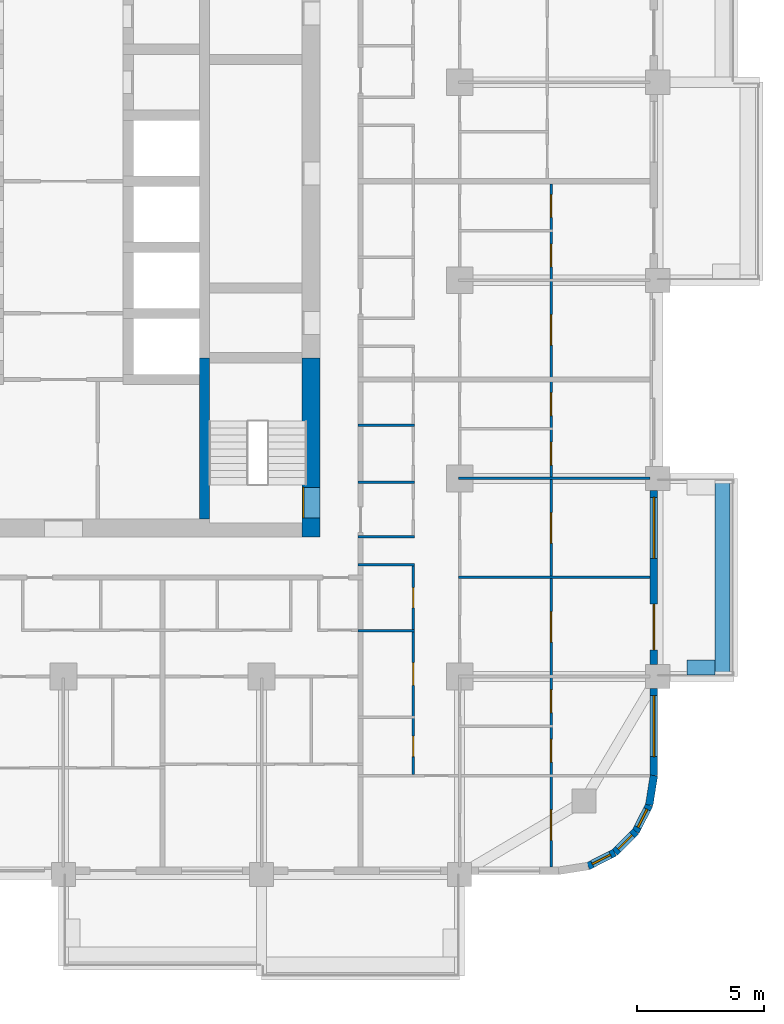
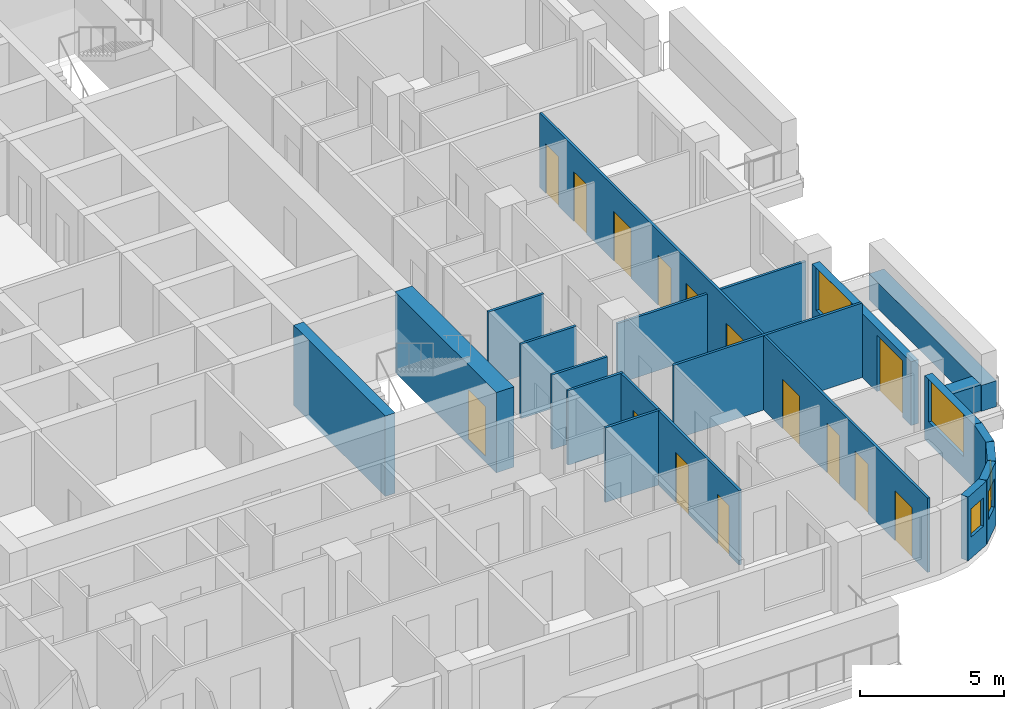
# One storey, part 8 of 18: 19 walls, 15 doors, 5 windows, 20 openings.
"""IFC4 building model written with IfcOpenShell, lengths in metres."""

from ifc_helpers import new_model, si_unit, direction, frame, frame_2d, origin, place, context, subcontext, project, spatial, rectangle, extrude, material, layer, layer_set, type_object, element, fill, save


model = new_model("IFC4")

# Units and contexts
model_context = context("Model", 3, precision=1e-05, world=origin(), true_north=direction((0.0, 1.0)))
body_context = subcontext(model_context, "Body", "Model", "MODEL_VIEW")
ifc_project = project(units=[si_unit("LENGTHUNIT", "METRE"), si_unit("AREAUNIT", "SQUARE_METRE"), si_unit("VOLUMEUNIT", "CUBIC_METRE"), si_unit("PLANEANGLEUNIT", "RADIAN"), si_unit("MASSUNIT", "GRAM", prefix="KILO")], contexts=[model_context])

# Site, building, storey
site_placement = place(None, origin())
site = spatial("IfcSite", under=ifc_project, at=site_placement, CompositionType="ELEMENT")
building_placement = place(site_placement, origin())
building = spatial("IfcBuilding", under=site, at=building_placement, Name="Ludao Terraces", CompositionType="ELEMENT")
storey_placement = place(building_placement, frame((0.0, 0.0, 78.39990234375)))
storey = spatial("IfcBuildingStorey", under=building, at=storey_placement, Name="L21", CompositionType="ELEMENT", Elevation=78.39990234375)

# Wall, opening, door
ifc_material_1 = material(Name="Concrete C70", Category="concrete")
ifc_layer_1 = layer(ifc_material_1, 0.699951171875)
ifc_layer_set_1 = layer_set([ifc_layer_1], Name="Core wall 700 C70")
wall_type_1 = type_object("IfcWallType", Name="Core wall 700 C70", PredefinedType="SOLIDWALL", material=ifc_layer_set_1)
wall_1_placement = place(storey_placement, frame((94.75, 54.89990234375, -0.25), z_axis=(0.0, 0.0, 1.0), x_axis=(0.0, 1.0, 0.0)))
wall_1 = element("IfcWall", 1, at=wall_1_placement, inside=storey, type_object=wall_type_1, Name="Core wall L21 outer-E-S3", PredefinedType="SOLIDWALL", context=body_context, shape_type="SweptSolid", body=[
    extrude(rectangle(XDim=7.050048828125, YDim=0.699951171875, at=frame_2d((3.52490234375, 0.0))), origin(), (0.0, 0.0, 1.0), 3.400146484375),
])
opening_1_placement = place(wall_1_placement, frame((0.75, 0.0, 0.25)))
opening_1 = element("IfcOpeningElement", 2, at=opening_1_placement, cuts=wall_1, Name="Opening R06-059", PredefinedType="OPENING", context=body_context, shape_type="SweptSolid", body=[
    extrude(rectangle(XDim=1.199951171875, YDim=2.10009765625, at=frame_2d((0.60009765625, 1.050048828125))), frame((0.0, 0.35986328125, 0.0), z_axis=(0.0, -1.0, 0.0), x_axis=(1.0, 0.0, 0.0)), (0.0, 0.0, 1.0), 0.719970703125),
])
ifc_material_2 = material(Name="Steel Q235", Category="steel")
door_type_1 = type_object("IfcDoorType", Name="INT Stair door 1200", OperationType="DOUBLE_DOOR_SINGLE_SWING", PredefinedType="DOOR", material=ifc_material_2)
door_1_placement = place(opening_1_placement, origin())
door_1 = element("IfcDoor", 3, at=door_1_placement, inside=storey, type_object=door_type_1, Name="DOOR 059", OperationType="DOUBLE_DOOR_SINGLE_SWING", OverallHeight=2.10009765625, OverallWidth=1.199951171875, PredefinedType="DOOR", context=body_context, shape_type="SweptSolid", body=[
    extrude(rectangle(XDim=1.199951171875, YDim=2.10009765625, at=frame_2d((0.60009765625, 1.050048828125))), frame((0.0, 0.3349609375, 0.0), z_axis=(0.0, -1.0, 0.0), x_axis=(1.0, 0.0, 0.0)), (0.0, 0.0, 1.0), 0.050048828125),
])
fill(opening_1, door_1)

# Walls
ifc_material_3 = material(Name="Concrete C40", Category="concrete")
ifc_layer_2 = layer(ifc_material_3, 0.60009765625)
ifc_layer_set_2 = layer_set([ifc_layer_2], Name="ENV Planter trough 600")
wall_type_2 = type_object("IfcWallType", Name="ENV Planter trough 600", PredefinedType="USERDEFINED", material=ifc_layer_set_2)
wall_2_placement = place(storey_placement, frame((110.949951171875, 49.39990234375, 0.0), z_axis=(0.0, 0.0, 1.0), x_axis=(0.0, 1.0, 0.0)))
element("IfcWall", 4, at=wall_2_placement, inside=storey, type_object=wall_type_2, Name="PL-L21-E1", ObjectType="PLANTER", PredefinedType="USERDEFINED", context=body_context, shape_type="SweptSolid", body=[
    extrude(rectangle(XDim=7.800048828125, YDim=0.60009765625, at=frame_2d((3.89990234375, 0.0))), origin(), (0.0, 0.0, 1.0), 1.10009765625),
])
wall_3_placement = place(storey_placement, frame((110.64990234375, 49.75, 0.0), z_axis=(0.0, 0.0, 1.0), x_axis=(-1.0, 0.0, 0.0)))
element("IfcWall", 5, at=wall_3_placement, inside=storey, type_object=wall_type_2, Name="PL-L21-E1-SA", ObjectType="PLANTER", PredefinedType="USERDEFINED", context=body_context, shape_type="SweptSolid", body=[
    extrude(rectangle(XDim=1.099853515625, YDim=0.60009765625, at=frame_2d((0.5498046875, 0.0))), origin(), (0.0, 0.0, 1.0), 1.10009765625),
])

# Wall, opening, window
ifc_material_4 = material(Name="Granite cladding", Category="masonry")
ifc_layer_3 = layer(ifc_material_4, 0.0400390625, Category="stone")
ifc_material_5 = material(Name="Mineral wool")
ifc_layer_4 = layer(ifc_material_5, 0.06005859375)
ifc_layer_5 = layer(ifc_material_3, 0.199951171875, Category="concrete")
ifc_layer_set_3 = layer_set([ifc_layer_3, ifc_layer_4, ifc_layer_5], Name="ENV Stone-clad wall 300")
wall_type_3 = type_object("IfcWallType", Name="ENV Stone-clad wall 300", PredefinedType="SOLIDWALL", material=ifc_layer_set_3)
wall_4_placement = place(storey_placement, frame((108.25, 45.5, 0.0), z_axis=(0.0, 0.0, 1.0), x_axis=(0.0, 1.0, 0.0)))
wall_4 = element("IfcWall", 6, at=wall_4_placement, inside=storey, type_object=wall_type_3, Name="EW-L21-E1", PredefinedType="SOLIDWALL", context=body_context, shape_type="SweptSolid", body=[
    extrude(rectangle(XDim=3.425048828125, YDim=0.300048828125, at=frame_2d((1.71240234375, 0.0))), origin(), (0.0, 0.0, 1.0), 2.7001953125),
])
opening_2_placement = place(wall_4_placement, frame((0.75, 0.0, 0.89990234375)))
opening_2 = element("IfcOpeningElement", 7, at=opening_2_placement, cuts=wall_4, Name="Opening W1", PredefinedType="OPENING", context=body_context, shape_type="SweptSolid", body=[
    extrude(rectangle(XDim=2.39990234375, YDim=1.800048828125, at=frame_2d((1.199951171875, 0.89990234375))), frame((0.0, 0.16015625, 0.0), z_axis=(0.0, -1.0, 0.0), x_axis=(1.0, 0.0, 0.0)), (0.0, 0.0, 1.0), 0.320068359375),
])
ifc_material_6 = material(Name="Clear glass in aluminium frame", Category="aluminium")
ifc_layer_6 = layer(ifc_material_6, 0.06005859375)
ifc_layer_set_4 = layer_set([ifc_layer_6], Name="ENV Window W1 2400x1800")
window_type_1 = type_object("IfcWindowType", Name="ENV Window W1 2400x1800", PartitioningType="DOUBLE_PANEL_VERTICAL", PredefinedType="WINDOW", material=ifc_layer_set_4)
window_1_placement = place(opening_2_placement, origin())
window_1 = element("IfcWindow", 8, at=window_1_placement, inside=storey, type_object=window_type_1, Name="W-L21-E1-1", OverallHeight=1.800048828125, OverallWidth=2.39990234375, PartitioningType="DOUBLE_PANEL_VERTICAL", PredefinedType="WINDOW", context=body_context, shape_type="SweptSolid", body=[
    extrude(rectangle(XDim=2.39990234375, YDim=1.800048828125, at=frame_2d((1.199951171875, 0.89990234375))), frame((0.0, 0.030029296875, 0.0), z_axis=(0.0, -1.0, 0.0), x_axis=(1.0, 0.0, 0.0)), (0.0, 0.0, 1.0), 0.06005859375),
])
fill(opening_2, window_1)

# Wall, openings, door, window
wall_5_placement = place(storey_placement, frame((108.25, 49.875, 0.0), z_axis=(0.0, 0.0, 1.0), x_axis=(0.0, 1.0, 0.0)))
wall_5 = element("IfcWall", 9, at=wall_5_placement, inside=storey, type_object=wall_type_3, Name="EW-L21-E2", PredefinedType="SOLIDWALL", context=body_context, shape_type="SweptSolid", body=[
    extrude(rectangle(XDim=6.85009765625, YDim=0.300048828125, at=frame_2d((3.425048828125, 0.0))), origin(), (0.0, 0.0, 1.0), 2.7001953125),
])
opening_3_placement = place(wall_5_placement, frame((0.574951171875, 0.0, 0.0)))
opening_3 = element("IfcOpeningElement", 10, at=opening_3_placement, cuts=wall_5, Name="Opening BD", PredefinedType="OPENING", context=body_context, shape_type="SweptSolid", body=[
    extrude(rectangle(XDim=1.800048828125, YDim=2.39990234375, at=frame_2d((0.89990234375, 1.199951171875))), frame((0.0, 0.16015625, 0.0), z_axis=(0.0, -1.0, 0.0), x_axis=(1.0, 0.0, 0.0)), (0.0, 0.0, 1.0), 0.320068359375),
])
opening_4_placement = place(wall_5_placement, frame((4.175048828125, 0.0, 0.89990234375)))
opening_4 = element("IfcOpeningElement", 11, at=opening_4_placement, cuts=wall_5, Name="Opening W1", PredefinedType="OPENING", context=body_context, shape_type="SweptSolid", body=[
    extrude(rectangle(XDim=2.39990234375, YDim=1.800048828125, at=frame_2d((1.199951171875, 0.89990234375))), frame((0.0, 0.16015625, 0.0), z_axis=(0.0, -1.0, 0.0), x_axis=(1.0, 0.0, 0.0)), (0.0, 0.0, 1.0), 0.320068359375),
])
ifc_material_7 = material(Name="Aluminium glazed door", Category="aluminium")
ifc_layer_7 = layer(ifc_material_7, 0.06005859375)
ifc_layer_set_5 = layer_set([ifc_layer_7], Name="ENV Balcony door BD 1800x2400")
door_type_2 = type_object("IfcDoorType", Name="ENV Balcony door BD 1800x2400", OperationType="DOUBLE_DOOR_SINGLE_SWING", PredefinedType="DOOR", material=ifc_layer_set_5)
door_2_placement = place(opening_3_placement, origin())
door_2 = element("IfcDoor", 12, at=door_2_placement, inside=storey, type_object=door_type_2, Name="BD-L21-E2-1", OperationType="DOUBLE_DOOR_SINGLE_SWING", OverallHeight=2.39990234375, OverallWidth=1.800048828125, PredefinedType="DOOR", context=body_context, shape_type="SweptSolid", body=[
    extrude(rectangle(XDim=1.800048828125, YDim=2.39990234375, at=frame_2d((0.89990234375, 1.199951171875))), frame((0.0, 0.02490234375, 0.0), z_axis=(0.0, -1.0, 0.0), x_axis=(1.0, 0.0, 0.0)), (0.0, 0.0, 1.0), 0.050048828125),
])
fill(opening_3, door_2)
window_2_placement = place(opening_4_placement, origin())
window_2 = element("IfcWindow", 13, at=window_2_placement, inside=storey, type_object=window_type_1, Name="W-L21-E2-2", OverallHeight=1.800048828125, OverallWidth=2.39990234375, PartitioningType="DOUBLE_PANEL_VERTICAL", PredefinedType="WINDOW", context=body_context, shape_type="SweptSolid", body=[
    extrude(rectangle(XDim=2.39990234375, YDim=1.800048828125, at=frame_2d((1.199951171875, 0.89990234375))), frame((0.0, 0.030029296875, 0.0), z_axis=(0.0, -1.0, 0.0), x_axis=(1.0, 0.0, 0.0)), (0.0, 0.0, 1.0), 0.06005859375),
])
fill(opening_4, window_2)

# Wall, opening, window
wall_6_placement = place(storey_placement, frame((105.65869140625, 41.93359375, 0.0), z_axis=(0.0, 0.0, 1.0), x_axis=(0.890988677504, 0.454025524128, 0.0)))
wall_6 = element("IfcWall", 14, at=wall_6_placement, inside=storey, type_object=wall_type_3, Name="EW-L21-SE2", PredefinedType="SOLIDWALL", context=body_context, shape_type="SweptSolid", body=[
    extrude(rectangle(XDim=1.17333984375, YDim=0.300048828125, at=frame_2d((0.586669921875, 0.0))), origin(), (0.0, 0.0, 1.0), 2.7001953125),
])
opening_5_placement = place(wall_6_placement, frame((0.1865234375, 0.0, 0.89990234375)))
opening_5 = element("IfcOpeningElement", 15, at=opening_5_placement, cuts=wall_6, Name="Opening W3", PredefinedType="OPENING", context=body_context, shape_type="SweptSolid", body=[
    extrude(rectangle(XDim=0.800048828125, YDim=1.199951171875, at=frame_2d((0.39990234375, 0.60009765625))), frame((0.0, 0.16015625, 0.0), z_axis=(0.0, -1.0, 0.0), x_axis=(1.0, 0.0, 0.0)), (0.0, 0.0, 1.0), 0.320068359375),
])
ifc_layer_8 = layer(ifc_material_6, 0.06005859375)
ifc_layer_set_6 = layer_set([ifc_layer_8], Name="ENV Window W3 800x1200")
window_type_2 = type_object("IfcWindowType", Name="ENV Window W3 800x1200", PartitioningType="SINGLE_PANEL", PredefinedType="WINDOW", material=ifc_layer_set_6)
window_3_placement = place(opening_5_placement, origin())
window_3 = element("IfcWindow", 16, at=window_3_placement, inside=storey, type_object=window_type_2, Name="W-L21-SE2", OverallHeight=1.199951171875, OverallWidth=0.800048828125, PartitioningType="SINGLE_PANEL", PredefinedType="WINDOW", context=body_context, shape_type="SweptSolid", body=[
    extrude(rectangle(XDim=0.800048828125, YDim=1.199951171875, at=frame_2d((0.39990234375, 0.60009765625))), frame((0.0, 0.030029296875, 0.0), z_axis=(0.0, -1.0, 0.0), x_axis=(1.0, 0.0, 0.0)), (0.0, 0.0, 1.0), 0.06005859375),
])
fill(opening_5, window_3)

wall_7_placement = place(storey_placement, frame((106.7041015625, 42.46630859375, 0.0), z_axis=(0.0, 0.0, 1.0), x_axis=(0.707106781187, 0.707106781187, 0.0)))
wall_7 = element("IfcWall", 17, at=wall_7_placement, inside=storey, type_object=wall_type_3, Name="EW-L21-SE3", PredefinedType="SOLIDWALL", context=body_context, shape_type="SweptSolid", body=[
    extrude(rectangle(XDim=1.173095703125, YDim=0.300048828125, at=frame_2d((0.58642578125, 0.0))), origin(), (0.0, 0.0, 1.0), 2.7001953125),
])
opening_6_placement = place(wall_7_placement, frame((0.1865234375, 0.0, 0.89990234375)))
opening_6 = element("IfcOpeningElement", 18, at=opening_6_placement, cuts=wall_7, Name="Opening W3", PredefinedType="OPENING", context=body_context, shape_type="SweptSolid", body=[
    extrude(rectangle(XDim=0.800048828125, YDim=1.199951171875, at=frame_2d((0.39990234375, 0.60009765625))), frame((0.0, 0.16015625, 0.0), z_axis=(0.0, -1.0, 0.0), x_axis=(1.0, 0.0, 0.0)), (0.0, 0.0, 1.0), 0.320068359375),
])
window_4_placement = place(opening_6_placement, origin())
window_4 = element("IfcWindow", 19, at=window_4_placement, inside=storey, type_object=window_type_2, Name="W-L21-SE3", OverallHeight=1.199951171875, OverallWidth=0.800048828125, PartitioningType="SINGLE_PANEL", PredefinedType="WINDOW", context=body_context, shape_type="SweptSolid", body=[
    extrude(rectangle(XDim=0.800048828125, YDim=1.199951171875, at=frame_2d((0.39990234375, 0.60009765625))), frame((0.0, 0.030029296875, 0.0), z_axis=(0.0, -1.0, 0.0), x_axis=(1.0, 0.0, 0.0)), (0.0, 0.0, 1.0), 0.06005859375),
])
fill(opening_6, window_4)

wall_8_placement = place(storey_placement, frame((107.53369140625, 43.2958984375, 0.0), z_axis=(0.0, 0.0, 1.0), x_axis=(0.454025524128, 0.890988677504, 0.0)))
wall_8 = element("IfcWall", 20, at=wall_8_placement, inside=storey, type_object=wall_type_3, Name="EW-L21-SE4", PredefinedType="SOLIDWALL", context=body_context, shape_type="SweptSolid", body=[
    extrude(rectangle(XDim=1.17333984375, YDim=0.300048828125, at=frame_2d((0.586669921875, 0.0))), origin(), (0.0, 0.0, 1.0), 2.7001953125),
])
opening_7_placement = place(wall_8_placement, frame((0.1865234375, 0.0, 0.89990234375)))
opening_7 = element("IfcOpeningElement", 21, at=opening_7_placement, cuts=wall_8, Name="Opening W3", PredefinedType="OPENING", context=body_context, shape_type="SweptSolid", body=[
    extrude(rectangle(XDim=0.800048828125, YDim=1.199951171875, at=frame_2d((0.39990234375, 0.60009765625))), frame((0.0, 0.16015625, 0.0), z_axis=(0.0, -1.0, 0.0), x_axis=(1.0, 0.0, 0.0)), (0.0, 0.0, 1.0), 0.320068359375),
])
window_5_placement = place(opening_7_placement, origin())
window_5 = element("IfcWindow", 22, at=window_5_placement, inside=storey, type_object=window_type_2, Name="W-L21-SE4", OverallHeight=1.199951171875, OverallWidth=0.800048828125, PartitioningType="SINGLE_PANEL", PredefinedType="WINDOW", context=body_context, shape_type="SweptSolid", body=[
    extrude(rectangle(XDim=0.800048828125, YDim=1.199951171875, at=frame_2d((0.39990234375, 0.60009765625))), frame((0.0, 0.030029296875, 0.0), z_axis=(0.0, -1.0, 0.0), x_axis=(1.0, 0.0, 0.0)), (0.0, 0.0, 1.0), 0.06005859375),
])
fill(opening_7, window_5)

# Walls
wall_9_placement = place(storey_placement, frame((108.06640625, 44.34130859375, 0.0), z_axis=(0.0, 0.0, 1.0), x_axis=(0.156496880861, 0.987678452879, 0.0)))
element("IfcWall", 23, at=wall_9_placement, inside=storey, type_object=wall_type_3, Name="EW-L21-SE5", PredefinedType="SOLIDWALL", context=body_context, shape_type="SweptSolid", body=[
    extrude(rectangle(XDim=1.173095703125, YDim=0.300048828125, at=frame_2d((0.58642578125, 0.0))), origin(), (0.0, 0.0, 1.0), 2.7001953125),
])
ifc_material_8 = material(Name="Gypsum plasterboard", Category="gypsum")
ifc_layer_9 = layer(ifc_material_8, 0.012451171875, Category="gypsum")
ifc_layer_10 = layer(ifc_material_5, 0.06005859375, Name="insulation")
ifc_layer_11 = layer(ifc_material_2, 0.014892578125, Name="stud")
ifc_layer_12 = layer(ifc_material_8, 0.012451171875, Category="gypsum")
ifc_layer_set_7 = layer_set([ifc_layer_9, ifc_layer_10, ifc_layer_11, ifc_layer_12], Name="INT Partition 100")
wall_type_4 = type_object("IfcWallType", Name="INT Partition 100", PredefinedType="PARTITIONING", material=ifc_layer_set_7)
wall_10_placement = place(storey_placement, frame((96.60009765625, 51.199951171875, 0.0), z_axis=(0.0, 0.0, 1.0), x_axis=(1.0, 0.0, 0.0)))
element("IfcWall", 24, at=wall_10_placement, inside=storey, type_object=wall_type_4, Name="PW-L21-PW012", PredefinedType="PARTITIONING", context=body_context, shape_type="SweptSolid", body=[
    extrude(rectangle(XDim=2.219970703125, YDim=0.10009765625, at=frame_2d((1.10986328125, 0.0))), origin(), (0.0, 0.0, 1.0), 3.150146484375),
])
wall_11_placement = place(storey_placement, frame((100.550048828125, 53.300048828125, 0.0), z_axis=(0.0, 0.0, 1.0), x_axis=(1.0, 0.0, 0.0)))
element("IfcWall", 25, at=wall_11_placement, inside=storey, type_object=wall_type_4, Name="PW-L21-PW021", PredefinedType="PARTITIONING", context=body_context, shape_type="SweptSolid", body=[
    extrude(rectangle(XDim=7.550048828125, YDim=0.10009765625, at=frame_2d((3.77490234375, 0.0))), origin(), (0.0, 0.0, 1.0), 3.150146484375),
])
for number, where, z_axis, x_axis, name in (
    (26, (96.60009765625, 53.800048828125, 0.0), (0.0, 0.0, 1.0), (1.0, 0.0, 0.0), "PW-L21-PW022"),
    (27, (96.60009765625, 54.89990234375, 0.0), (0.0, 0.0, 1.0), (1.0, 0.0, 0.0), "PW-L21-PW024"),
    (28, (96.60009765625, 57.050048828125, 0.0), (0.0, 0.0, 1.0), (1.0, 0.0, 0.0), "PW-L21-PW026"),
):
    element("IfcWall", number, at=place(storey_placement, frame(where, z_axis=z_axis, x_axis=x_axis)), inside=storey, type_object=wall_type_4, Name=name, PredefinedType="PARTITIONING", context=body_context, shape_type="SweptSolid", body=[
        extrude(rectangle(XDim=2.219970703125, YDim=0.10009765625, at=frame_2d((1.10986328125, 0.0))), origin(), (0.0, 0.0, 1.0), 3.150146484375),
    ])
wall_12_placement = place(storey_placement, frame((100.550048828125, 57.199951171875, 0.0), z_axis=(0.0, 0.0, 1.0), x_axis=(1.0, 0.0, 0.0)))
element("IfcWall", 29, at=wall_12_placement, inside=storey, type_object=wall_type_4, Name="PW-L21-PW028", PredefinedType="PARTITIONING", context=body_context, shape_type="SweptSolid", body=[
    extrude(rectangle(XDim=7.550048828125, YDim=0.10009765625, at=frame_2d((3.77490234375, 0.0))), origin(), (0.0, 0.0, 1.0), 2.550048828125),
])
wall_13_placement = place(storey_placement, frame((96.60009765625, 59.300048828125, 0.0), z_axis=(0.0, 0.0, 1.0), x_axis=(1.0, 0.0, 0.0)))
element("IfcWall", 30, at=wall_13_placement, inside=storey, type_object=wall_type_4, Name="PW-L21-PW032", PredefinedType="PARTITIONING", context=body_context, shape_type="SweptSolid", body=[
    extrude(rectangle(XDim=2.219970703125, YDim=0.10009765625, at=frame_2d((1.10986328125, 0.0))), origin(), (0.0, 0.0, 1.0), 3.150146484375),
])

# Wall, openings, doors
wall_14_placement = place(storey_placement, frame((98.77001953125, 45.550048828125, 0.0), z_axis=(0.0, 0.0, 1.0), x_axis=(0.0, 1.0, 0.0)))
wall_14 = element("IfcWall", 31, at=wall_14_placement, inside=storey, type_object=wall_type_4, Name="PW-L21-PW118", PredefinedType="PARTITIONING", context=body_context, shape_type="SweptSolid", body=[
    extrude(rectangle(XDim=8.199951171875, YDim=0.10009765625, at=frame_2d((4.10009765625, 0.0))), origin(), (0.0, 0.0, 1.0), 3.150146484375),
])
opening_8_placement = place(wall_14_placement, frame((0.699951171875, 0.0, 0.0)))
opening_8 = element("IfcOpeningElement", 32, at=opening_8_placement, cuts=wall_14, Name="Opening R06-018", PredefinedType="OPENING", context=body_context, shape_type="SweptSolid", body=[
    extrude(rectangle(XDim=0.800048828125, YDim=2.10009765625, at=frame_2d((0.39990234375, 1.050048828125))), frame((0.0, 0.06005859375, 0.0), z_axis=(0.0, -1.0, 0.0), x_axis=(1.0, 0.0, 0.0)), (0.0, 0.0, 1.0), 0.1201171875),
])
opening_9_placement = place(wall_14_placement, frame((3.5, 0.0, 0.0)))
opening_9 = element("IfcOpeningElement", 33, at=opening_9_placement, cuts=wall_14, Name="Opening R06-030", PredefinedType="OPENING", context=body_context, shape_type="SweptSolid", body=[
    extrude(rectangle(XDim=0.89990234375, YDim=2.10009765625, at=frame_2d((0.449951171875, 1.050048828125))), frame((0.0, 0.06005859375, 0.0), z_axis=(0.0, -1.0, 0.0), x_axis=(1.0, 0.0, 0.0)), (0.0, 0.0, 1.0), 0.1201171875),
])
opening_10_placement = place(wall_14_placement, frame((6.550048828125, 0.0, 0.0)))
opening_10 = element("IfcOpeningElement", 34, at=opening_10_placement, cuts=wall_14, Name="Opening R06-046", PredefinedType="OPENING", context=body_context, shape_type="SweptSolid", body=[
    extrude(rectangle(XDim=0.800048828125, YDim=2.10009765625, at=frame_2d((0.39990234375, 1.050048828125))), frame((0.0, 0.06005859375, 0.0), z_axis=(0.0, -1.0, 0.0), x_axis=(1.0, 0.0, 0.0)), (0.0, 0.0, 1.0), 0.1201171875),
])
ifc_material_9 = material(Name="Timber door leaf", Category="wood")
door_type_3 = type_object("IfcDoorType", Name="INT Room door 900", OperationType="SINGLE_SWING_LEFT", PredefinedType="DOOR", material=ifc_material_9)
door_3_placement = place(opening_9_placement, origin())
door_3 = element("IfcDoor", 35, at=door_3_placement, inside=storey, type_object=door_type_3, Name="DOOR 030", OperationType="SINGLE_SWING_LEFT", OverallHeight=2.10009765625, OverallWidth=0.89990234375, PredefinedType="DOOR", context=body_context, shape_type="SweptSolid", body=[
    extrude(rectangle(XDim=0.89990234375, YDim=2.10009765625, at=frame_2d((0.449951171875, 1.050048828125))), frame((0.0, 0.02490234375, 0.0), z_axis=(0.0, -1.0, 0.0), x_axis=(1.0, 0.0, 0.0)), (0.0, 0.0, 1.0), 0.050048828125),
])
fill(opening_9, door_3)
door_type_4 = type_object("IfcDoorType", Name="INT Store door 800", OperationType="SINGLE_SWING_LEFT", PredefinedType="DOOR", material=ifc_material_9)
door_4_placement = place(opening_8_placement, origin())
door_4 = element("IfcDoor", 36, at=door_4_placement, inside=storey, type_object=door_type_4, Name="DOOR 018", OperationType="SINGLE_SWING_RIGHT", OverallHeight=2.10009765625, OverallWidth=0.800048828125, PredefinedType="DOOR", context=body_context, shape_type="SweptSolid", body=[
    extrude(rectangle(XDim=0.800048828125, YDim=2.10009765625, at=frame_2d((0.39990234375, 1.050048828125))), frame((0.0, 0.02490234375, 0.0), z_axis=(0.0, -1.0, 0.0), x_axis=(1.0, 0.0, 0.0)), (0.0, 0.0, 1.0), 0.050048828125),
])
fill(opening_8, door_4)
door_5_placement = place(opening_10_placement, origin())
door_5 = element("IfcDoor", 37, at=door_5_placement, inside=storey, type_object=door_type_4, Name="DOOR 046", OperationType="SINGLE_SWING_LEFT", OverallHeight=2.10009765625, OverallWidth=0.800048828125, PredefinedType="DOOR", context=body_context, shape_type="SweptSolid", body=[
    extrude(rectangle(XDim=0.800048828125, YDim=2.10009765625, at=frame_2d((0.39990234375, 1.050048828125))), frame((0.0, 0.02490234375, 0.0), z_axis=(0.0, -1.0, 0.0), x_axis=(1.0, 0.0, 0.0)), (0.0, 0.0, 1.0), 0.050048828125),
])
fill(opening_10, door_5)

wall_15_placement = place(storey_placement, frame((104.199951171875, 41.900146484375, 0.0), z_axis=(0.0, 0.0, 1.0), x_axis=(0.0, 1.0, 0.0)))
wall_15 = element("IfcWall", 38, at=wall_15_placement, inside=storey, type_object=wall_type_4, Name="PW-L21-PW125", PredefinedType="PARTITIONING", context=body_context, shape_type="SweptSolid", body=[
    extrude(rectangle(XDim=26.89990234375, YDim=0.10009765625, at=frame_2d((13.449951171875, 0.0))), origin(), (0.0, 0.0, 1.0), 3.150146484375),
])
opening_11_placement = place(wall_15_placement, frame((1.050048828125, 0.0, 0.0)))
opening_11 = element("IfcOpeningElement", 39, at=opening_11_placement, cuts=wall_15, Name="Opening R06-004", PredefinedType="OPENING", context=body_context, shape_type="SweptSolid", body=[
    extrude(rectangle(XDim=1.199951171875, YDim=2.10009765625, at=frame_2d((0.60009765625, 1.050048828125))), frame((0.0, 0.06005859375, 0.0), z_axis=(0.0, -1.0, 0.0), x_axis=(1.0, 0.0, 0.0)), (0.0, 0.0, 1.0), 0.1201171875),
])
opening_12_placement = place(wall_15_placement, frame((4.125, 0.0, 0.0)))
opening_12 = element("IfcOpeningElement", 40, at=opening_12_placement, cuts=wall_15, Name="Opening R06-016", PredefinedType="OPENING", context=body_context, shape_type="SweptSolid", body=[
    extrude(rectangle(XDim=0.89990234375, YDim=2.10009765625, at=frame_2d((0.449951171875, 1.050048828125))), frame((0.0, 0.06005859375, 0.0), z_axis=(0.0, -1.0, 0.0), x_axis=(1.0, 0.0, 0.0)), (0.0, 0.0, 1.0), 0.1201171875),
])
opening_13_placement = place(wall_15_placement, frame((6.074951171875, 0.0, 0.0)))
opening_13 = element("IfcOpeningElement", 41, at=opening_13_placement, cuts=wall_15, Name="Opening R06-022", PredefinedType="OPENING", context=body_context, shape_type="SweptSolid", body=[
    extrude(rectangle(XDim=0.89990234375, YDim=2.10009765625, at=frame_2d((0.449951171875, 1.050048828125))), frame((0.0, 0.06005859375, 0.0), z_axis=(0.0, -1.0, 0.0), x_axis=(1.0, 0.0, 0.0)), (0.0, 0.0, 1.0), 0.1201171875),
])
opening_14_placement = place(wall_15_placement, frame((8.85009765625, 0.0, 0.0)))
opening_14 = element("IfcOpeningElement", 42, at=opening_14_placement, cuts=wall_15, Name="Opening R06-043", PredefinedType="OPENING", context=body_context, shape_type="SweptSolid", body=[
    extrude(rectangle(XDim=1.199951171875, YDim=2.10009765625, at=frame_2d((0.60009765625, 1.050048828125))), frame((0.0, 0.06005859375, 0.0), z_axis=(0.0, -1.0, 0.0), x_axis=(1.0, 0.0, 0.0)), (0.0, 0.0, 1.0), 0.1201171875),
])
opening_15_placement = place(wall_15_placement, frame((12.75, 0.0, 0.0)))
opening_15 = element("IfcOpeningElement", 43, at=opening_15_placement, cuts=wall_15, Name="Opening R06-055", PredefinedType="OPENING", context=body_context, shape_type="SweptSolid", body=[
    extrude(rectangle(XDim=1.199951171875, YDim=2.10009765625, at=frame_2d((0.60009765625, 1.050048828125))), frame((0.0, 0.06005859375, 0.0), z_axis=(0.0, -1.0, 0.0), x_axis=(1.0, 0.0, 0.0)), (0.0, 0.0, 1.0), 0.1201171875),
])
opening_16_placement = place(wall_15_placement, frame((15.824951171875, 0.0, 0.0)))
opening_16 = element("IfcOpeningElement", 44, at=opening_16_placement, cuts=wall_15, Name="Opening R06-065", PredefinedType="OPENING", context=body_context, shape_type="SweptSolid", body=[
    extrude(rectangle(XDim=0.89990234375, YDim=2.10009765625, at=frame_2d((0.449951171875, 1.050048828125))), frame((0.0, 0.06005859375, 0.0), z_axis=(0.0, -1.0, 0.0), x_axis=(1.0, 0.0, 0.0)), (0.0, 0.0, 1.0), 0.1201171875),
])
opening_17_placement = place(wall_15_placement, frame((17.77490234375, 0.0, 0.0)))
opening_17 = element("IfcOpeningElement", 45, at=opening_17_placement, cuts=wall_15, Name="Opening R06-070", PredefinedType="OPENING", context=body_context, shape_type="SweptSolid", body=[
    extrude(rectangle(XDim=0.89990234375, YDim=2.10009765625, at=frame_2d((0.449951171875, 1.050048828125))), frame((0.0, 0.06005859375, 0.0), z_axis=(0.0, -1.0, 0.0), x_axis=(1.0, 0.0, 0.0)), (0.0, 0.0, 1.0), 0.1201171875),
])
opening_18_placement = place(wall_15_placement, frame((20.550048828125, 0.0, 0.0)))
opening_18 = element("IfcOpeningElement", 46, at=opening_18_placement, cuts=wall_15, Name="Opening R06-080", PredefinedType="OPENING", context=body_context, shape_type="SweptSolid", body=[
    extrude(rectangle(XDim=1.199951171875, YDim=2.10009765625, at=frame_2d((0.60009765625, 1.050048828125))), frame((0.0, 0.06005859375, 0.0), z_axis=(0.0, -1.0, 0.0), x_axis=(1.0, 0.0, 0.0)), (0.0, 0.0, 1.0), 0.1201171875),
])
opening_19_placement = place(wall_15_placement, frame((23.625, 0.0, 0.0)))
opening_19 = element("IfcOpeningElement", 47, at=opening_19_placement, cuts=wall_15, Name="Opening R06-088", PredefinedType="OPENING", context=body_context, shape_type="SweptSolid", body=[
    extrude(rectangle(XDim=0.89990234375, YDim=2.10009765625, at=frame_2d((0.449951171875, 1.050048828125))), frame((0.0, 0.06005859375, 0.0), z_axis=(0.0, -1.0, 0.0), x_axis=(1.0, 0.0, 0.0)), (0.0, 0.0, 1.0), 0.1201171875),
])
opening_20_placement = place(wall_15_placement, frame((25.574951171875, 0.0, 0.0)))
opening_20 = element("IfcOpeningElement", 48, at=opening_20_placement, cuts=wall_15, Name="Opening R06-097", PredefinedType="OPENING", context=body_context, shape_type="SweptSolid", body=[
    extrude(rectangle(XDim=0.89990234375, YDim=2.10009765625, at=frame_2d((0.449951171875, 1.050048828125))), frame((0.0, 0.06005859375, 0.0), z_axis=(0.0, -1.0, 0.0), x_axis=(1.0, 0.0, 0.0)), (0.0, 0.0, 1.0), 0.1201171875),
])
door_type_5 = type_object("IfcDoorType", Name="INT Bathroom door 900", OperationType="SINGLE_SWING_LEFT", PredefinedType="DOOR", material=ifc_material_9)
door_6_placement = place(opening_12_placement, origin())
door_6 = element("IfcDoor", 49, at=door_6_placement, inside=storey, type_object=door_type_5, Name="DOOR 016", OperationType="SINGLE_SWING_LEFT", OverallHeight=2.10009765625, OverallWidth=0.89990234375, PredefinedType="DOOR", context=body_context, shape_type="SweptSolid", body=[
    extrude(rectangle(XDim=0.89990234375, YDim=2.10009765625, at=frame_2d((0.449951171875, 1.050048828125))), frame((0.0, 0.02490234375, 0.0), z_axis=(0.0, -1.0, 0.0), x_axis=(1.0, 0.0, 0.0)), (0.0, 0.0, 1.0), 0.050048828125),
])
fill(opening_12, door_6)
door_7_placement = place(opening_16_placement, origin())
door_7 = element("IfcDoor", 50, at=door_7_placement, inside=storey, type_object=door_type_5, Name="DOOR 065", OperationType="SINGLE_SWING_RIGHT", OverallHeight=2.10009765625, OverallWidth=0.89990234375, PredefinedType="DOOR", context=body_context, shape_type="SweptSolid", body=[
    extrude(rectangle(XDim=0.89990234375, YDim=2.10009765625, at=frame_2d((0.449951171875, 1.050048828125))), frame((0.0, 0.02490234375, 0.0), z_axis=(0.0, -1.0, 0.0), x_axis=(1.0, 0.0, 0.0)), (0.0, 0.0, 1.0), 0.050048828125),
])
fill(opening_16, door_7)
door_8_placement = place(opening_19_placement, origin())
door_8 = element("IfcDoor", 51, at=door_8_placement, inside=storey, type_object=door_type_5, Name="DOOR 088", OperationType="SINGLE_SWING_RIGHT", OverallHeight=2.10009765625, OverallWidth=0.89990234375, PredefinedType="DOOR", context=body_context, shape_type="SweptSolid", body=[
    extrude(rectangle(XDim=0.89990234375, YDim=2.10009765625, at=frame_2d((0.449951171875, 1.050048828125))), frame((0.0, 0.02490234375, 0.0), z_axis=(0.0, -1.0, 0.0), x_axis=(1.0, 0.0, 0.0)), (0.0, 0.0, 1.0), 0.050048828125),
])
fill(opening_19, door_8)
door_type_6 = type_object("IfcDoorType", Name="INT Double door 1200", OperationType="DOUBLE_DOOR_SINGLE_SWING", PredefinedType="DOOR", material=ifc_material_9)
door_9_placement = place(opening_11_placement, origin())
door_9 = element("IfcDoor", 52, at=door_9_placement, inside=storey, type_object=door_type_6, Name="DOOR 004", OperationType="DOUBLE_DOOR_SINGLE_SWING", OverallHeight=2.10009765625, OverallWidth=1.199951171875, PredefinedType="DOOR", context=body_context, shape_type="SweptSolid", body=[
    extrude(rectangle(XDim=1.199951171875, YDim=2.10009765625, at=frame_2d((0.60009765625, 1.050048828125))), frame((0.0, 0.02490234375, 0.0), z_axis=(0.0, -1.0, 0.0), x_axis=(1.0, 0.0, 0.0)), (0.0, 0.0, 1.0), 0.050048828125),
])
fill(opening_11, door_9)
door_10_placement = place(opening_14_placement, origin())
door_10 = element("IfcDoor", 53, at=door_10_placement, inside=storey, type_object=door_type_6, Name="DOOR 043", OperationType="DOUBLE_DOOR_SINGLE_SWING", OverallHeight=2.10009765625, OverallWidth=1.199951171875, PredefinedType="DOOR", context=body_context, shape_type="SweptSolid", body=[
    extrude(rectangle(XDim=1.199951171875, YDim=2.10009765625, at=frame_2d((0.60009765625, 1.050048828125))), frame((0.0, 0.02490234375, 0.0), z_axis=(0.0, -1.0, 0.0), x_axis=(1.0, 0.0, 0.0)), (0.0, 0.0, 1.0), 0.050048828125),
])
fill(opening_14, door_10)
door_11_placement = place(opening_15_placement, origin())
door_11 = element("IfcDoor", 54, at=door_11_placement, inside=storey, type_object=door_type_6, Name="DOOR 055", OperationType="DOUBLE_DOOR_SINGLE_SWING", OverallHeight=2.10009765625, OverallWidth=1.199951171875, PredefinedType="DOOR", context=body_context, shape_type="SweptSolid", body=[
    extrude(rectangle(XDim=1.199951171875, YDim=2.10009765625, at=frame_2d((0.60009765625, 1.050048828125))), frame((0.0, 0.02490234375, 0.0), z_axis=(0.0, -1.0, 0.0), x_axis=(1.0, 0.0, 0.0)), (0.0, 0.0, 1.0), 0.050048828125),
])
fill(opening_15, door_11)
door_12_placement = place(opening_18_placement, origin())
door_12 = element("IfcDoor", 55, at=door_12_placement, inside=storey, type_object=door_type_6, Name="DOOR 080", OperationType="DOUBLE_DOOR_SINGLE_SWING", OverallHeight=2.10009765625, OverallWidth=1.199951171875, PredefinedType="DOOR", context=body_context, shape_type="SweptSolid", body=[
    extrude(rectangle(XDim=1.199951171875, YDim=2.10009765625, at=frame_2d((0.60009765625, 1.050048828125))), frame((0.0, 0.02490234375, 0.0), z_axis=(0.0, -1.0, 0.0), x_axis=(1.0, 0.0, 0.0)), (0.0, 0.0, 1.0), 0.050048828125),
])
fill(opening_18, door_12)
door_13_placement = place(opening_13_placement, origin())
door_13 = element("IfcDoor", 56, at=door_13_placement, inside=storey, type_object=door_type_3, Name="DOOR 022", OperationType="SINGLE_SWING_RIGHT", OverallHeight=2.10009765625, OverallWidth=0.89990234375, PredefinedType="DOOR", context=body_context, shape_type="SweptSolid", body=[
    extrude(rectangle(XDim=0.89990234375, YDim=2.10009765625, at=frame_2d((0.449951171875, 1.050048828125))), frame((0.0, 0.02490234375, 0.0), z_axis=(0.0, -1.0, 0.0), x_axis=(1.0, 0.0, 0.0)), (0.0, 0.0, 1.0), 0.050048828125),
])
fill(opening_13, door_13)
door_14_placement = place(opening_17_placement, origin())
door_14 = element("IfcDoor", 57, at=door_14_placement, inside=storey, type_object=door_type_3, Name="DOOR 070", OperationType="SINGLE_SWING_RIGHT", OverallHeight=2.10009765625, OverallWidth=0.89990234375, PredefinedType="DOOR", context=body_context, shape_type="SweptSolid", body=[
    extrude(rectangle(XDim=0.89990234375, YDim=2.10009765625, at=frame_2d((0.449951171875, 1.050048828125))), frame((0.0, 0.02490234375, 0.0), z_axis=(0.0, -1.0, 0.0), x_axis=(1.0, 0.0, 0.0)), (0.0, 0.0, 1.0), 0.050048828125),
])
fill(opening_17, door_14)
door_15_placement = place(opening_20_placement, origin())
door_15 = element("IfcDoor", 58, at=door_15_placement, inside=storey, type_object=door_type_3, Name="DOOR 097", OperationType="SINGLE_SWING_RIGHT", OverallHeight=2.10009765625, OverallWidth=0.89990234375, PredefinedType="DOOR", context=body_context, shape_type="SweptSolid", body=[
    extrude(rectangle(XDim=0.89990234375, YDim=2.10009765625, at=frame_2d((0.449951171875, 1.050048828125))), frame((0.0, 0.02490234375, 0.0), z_axis=(0.0, -1.0, 0.0), x_axis=(1.0, 0.0, 0.0)), (0.0, 0.0, 1.0), 0.050048828125),
])
fill(opening_20, door_15)

# Wall
ifc_material_10 = material(Name="Concrete C60", Category="concrete")
ifc_layer_13 = layer(ifc_material_10, 0.39990234375)
ifc_layer_set_8 = layer_set([ifc_layer_13], Name="Shaft wall 400 C60")
wall_type_5 = type_object("IfcWallType", Name="Shaft wall 400 C60", PredefinedType="SOLIDWALL", material=ifc_layer_set_8)
wall_16_placement = place(storey_placement, frame((90.550048828125, 55.60009765625, -0.25), z_axis=(0.0, 0.0, 1.0), x_axis=(0.0, 1.0, 0.0)))
element("IfcWall", 59, at=wall_16_placement, inside=storey, type_object=wall_type_5, Name="Core wall L21 back-E-S3", PredefinedType="SOLIDWALL", context=body_context, shape_type="SweptSolid", body=[
    extrude(rectangle(XDim=6.349853515625, YDim=0.39990234375, at=frame_2d((3.1748046875, 0.0))), origin(), (0.0, 0.0, 1.0), 3.400146484375),
])

save(model, "model.ifc")
